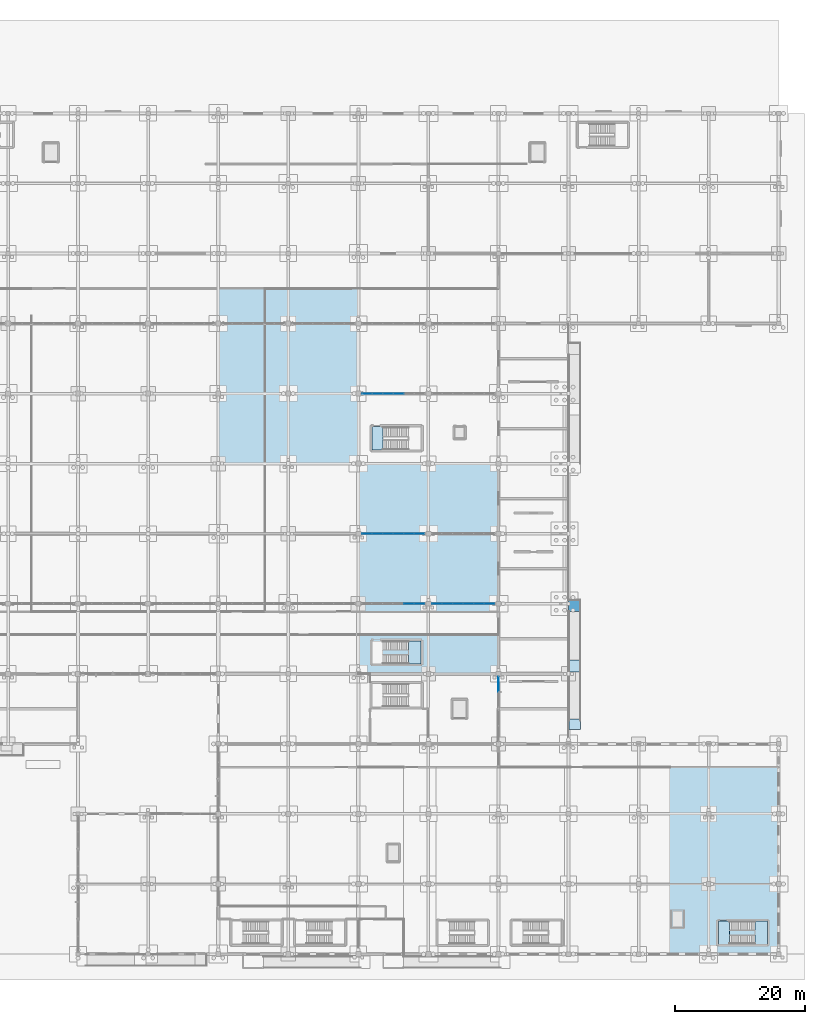
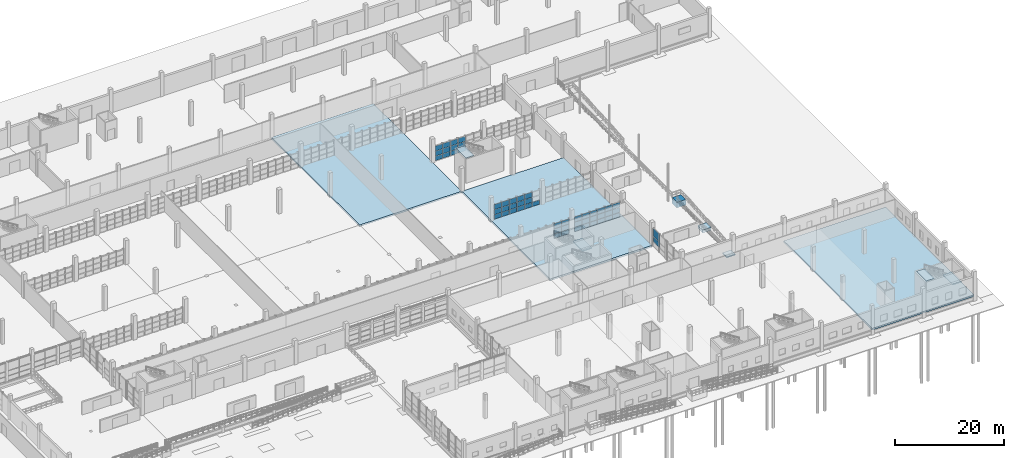
# One storey, part 94 of 138: 54 plates, 10 slabs, 9 elements without a shape of their own.
"""IFC4 building model written with IfcOpenShell, lengths in metres."""

from ifc_helpers import new_model, si_unit, direction, frame, origin, origin_2d, place, context, subcontext, project, spatial, polyline, rectangle, outline, extrude, material, layer, layer_set, type_object, element, aggregate, save


model = new_model("IFC4")

# Units and contexts
model_context = context("Model", 3, precision=1e-05, world=origin(), true_north=direction((0.0, 1.0)))
body_context = subcontext(model_context, "Body", "Model", "MODEL_VIEW")
ifc_project = project(units=[si_unit("LENGTHUNIT", "METRE"), si_unit("AREAUNIT", "SQUARE_METRE"), si_unit("VOLUMEUNIT", "CUBIC_METRE"), si_unit("PLANEANGLEUNIT", "RADIAN"), si_unit("MASSUNIT", "GRAM", prefix="KILO")], contexts=[model_context])

# Site, building, storey
site_placement = place(None, origin())
site = spatial("IfcSite", under=ifc_project, at=site_placement, CompositionType="ELEMENT")
building_placement = place(site_placement, origin())
building = spatial("IfcBuilding", under=site, at=building_placement, Name="Zwinboog Wholesale Market", CompositionType="ELEMENT")
storey_placement = place(building_placement, origin())
storey = spatial("IfcBuildingStorey", under=building, at=storey_placement, Name="L00", CompositionType="ELEMENT", Elevation=0.0)

# Slabs
ifc_material_1 = material(Name="Precast concrete C45/55", Category="concrete")
ifc_layer_1 = layer(ifc_material_1, 0.35009765625)
ifc_layer_set_1 = layer_set([ifc_layer_1], Name="Precast concrete C45/55")
slab_type_1 = type_object("IfcSlabType", Name="SLT-BS-350", PredefinedType="BASESLAB", material=ifc_layer_set_1)
slab_1_placement = place(storey_placement, frame((0.0, 0.0, -0.35009765625)))
element("IfcSlab", 1, at=slab_1_placement, inside=storey, type_object=slab_type_1, Name="SB-350 (SLB-L00-023)", PredefinedType="BASESLAB", context=body_context, shape_type="SweptSolid", body=[
    extrude(outline(polyline([(194.39990234375, 0.0), (216.0, 0.0), (216.0, 32.39990234375), (194.39990234375, 32.39990234375), (194.39990234375, 0.0)])), origin(), (0.0, 0.0, 1.0), 0.35009765625),
])
ifc_layer_2 = layer(ifc_material_1, 0.364990234375)
ifc_layer_set_2 = layer_set([ifc_layer_2], Name="Precast concrete C45/55")
slab_type_2 = type_object("IfcSlabType", Name="SLT-BS-365", PredefinedType="BASESLAB", material=ifc_layer_set_2)
slab_2_placement = place(storey_placement, frame((0.0, 0.0, -0.364990234375)))
element("IfcSlab", 2, at=slab_2_placement, inside=storey, type_object=slab_type_2, Name="SB-365 (SLB-L00-013)", PredefinedType="BASESLAB", context=body_context, shape_type="SweptSolid", body=[
    extrude(outline(polyline([(129.60009765625, 75.60009765625), (151.199951171875, 75.60009765625), (151.199951171875, 108.0), (129.60009765625, 108.0), (129.60009765625, 75.60009765625)])), origin(), (0.0, 0.0, 1.0), 0.364990234375),
])
ifc_layer_3 = layer(ifc_material_1, 0.39501953125)
ifc_layer_set_3 = layer_set([ifc_layer_3], Name="Precast concrete C45/55")
slab_type_3 = type_object("IfcSlabType", Name="SLT-BS-395", PredefinedType="BASESLAB", material=ifc_layer_set_3)
slab_3_placement = place(storey_placement, frame((0.0, 0.0, -0.39501953125)))
element("IfcSlab", 3, at=slab_3_placement, inside=storey, type_object=slab_type_3, Name="SB-395 (SLB-L00-014)", PredefinedType="BASESLAB", context=body_context, shape_type="SweptSolid", body=[
    extrude(outline(polyline([(151.199951171875, 43.199951171875), (172.800048828125, 43.199951171875), (172.800048828125, 75.60009765625), (151.199951171875, 75.60009765625), (151.199951171875, 43.199951171875)])), origin(), (0.0, 0.0, 1.0), 0.39501953125),
])

# Curtain wall, plates
ifc_material_2 = material(Name="Aluminium thermally broken curtain wall", Category="aluminium")
curtain_wall_type_1 = type_object("IfcCurtainWallType", Name="CWT-OFF-15", PredefinedType="USERDEFINED", material=ifc_material_2)
curtain_wall_1_placement = place(storey_placement, origin())
curtain_wall_1 = element("IfcCurtainWall", 4, at=curtain_wall_1_placement, inside=storey, type_object=curtain_wall_type_1, Name="CW-06 (CW-L00-048)", ObjectType="UNITIZED_CURTAIN_WALL", PredefinedType="USERDEFINED")
ifc_material_3 = material(Name="Double low-e insulated glazing", Category="glass")
ifc_layer_4 = layer(ifc_material_3, 0.031982421875)
ifc_layer_set_4 = layer_set([ifc_layer_4], Name="Double low-e insulated glazing")
plate_type_1 = type_object("IfcPlateType", Name="CWP-IGU-32", PredefinedType="CURTAIN_PANEL", material=ifc_layer_set_4)
plate_1_placement = place(storey_placement, frame((172.800048828125, 41.607421875, 1.1298828125), z_axis=(0.0, 0.0, 1.0), x_axis=(0.0, 1.0, 0.0)))
plate_1 = element("IfcPlate", 5, at=plate_1_placement, type_object=plate_type_1, Name="CW-06 panel 2.2", PredefinedType="CURTAIN_PANEL", context=body_context, shape_type="SweptSolid", body=[
    extrude(rectangle(XDim=2.324951171875, YDim=0.031982421875, at=origin_2d()), origin(), (0.0, 0.0, 1.0), 1.090087890625),
])
plate_2_placement = place(storey_placement, frame((172.800048828125, 41.607421875, 2.2802734375), z_axis=(0.0, 0.0, 1.0), x_axis=(0.0, 1.0, 0.0)))
plate_2 = element("IfcPlate", 6, at=plate_2_placement, type_object=plate_type_1, Name="CW-06 panel 2.3", PredefinedType="CURTAIN_PANEL", context=body_context, shape_type="SweptSolid", body=[
    extrude(rectangle(XDim=2.324951171875, YDim=0.031982421875, at=origin_2d()), origin(), (0.0, 0.0, 1.0), 1.784912109375),
])
aggregate(curtain_wall_1, [plate_1, plate_2])

curtain_wall_type_2 = type_object("IfcCurtainWallType", Name="CWT-INT-STALL", PredefinedType="USERDEFINED", material=ifc_material_2)
curtain_wall_2_placement = place(storey_placement, origin())
curtain_wall_2 = element("IfcCurtainWall", 7, at=curtain_wall_2_placement, inside=storey, type_object=curtain_wall_type_2, Name="CW-07 (CW-STL-189)", ObjectType="STOREFRONT_GLAZING", PredefinedType="USERDEFINED")
ifc_material_4 = material(Name="Tempered laminated market stall glazing", Category="glass")
ifc_layer_5 = layer(ifc_material_4, 0.01611328125)
ifc_layer_set_5 = layer_set([ifc_layer_5], Name="Tempered laminated market stall glazing")
plate_type_2 = type_object("IfcPlateType", Name="CWP-INT-16", PredefinedType="CURTAIN_PANEL", material=ifc_layer_set_5)
plate_3_placement = place(storey_placement, frame((159.02490234375, 54.0, 0.06005859375), z_axis=(0.0, 0.0, 1.0), x_axis=(1.0, 0.0, 0.0)))
plate_3 = element("IfcPlate", 8, at=plate_3_placement, type_object=plate_type_2, Name="CW-07 panel 5.1", PredefinedType="CURTAIN_PANEL", context=body_context, shape_type="SweptSolid", body=[
    extrude(rectangle(XDim=1.556640625, YDim=0.01611328125, at=origin_2d()), origin(), (0.0, 0.0, 1.0), 0.9599609375),
])
plate_4_placement = place(storey_placement, frame((159.02490234375, 54.0, 1.080078125), z_axis=(0.0, 0.0, 1.0), x_axis=(1.0, 0.0, 0.0)))
plate_4 = element("IfcPlate", 9, at=plate_4_placement, type_object=plate_type_2, Name="CW-07 panel 5.2", PredefinedType="CURTAIN_PANEL", context=body_context, shape_type="SweptSolid", body=[
    extrude(rectangle(XDim=1.556640625, YDim=0.01611328125, at=origin_2d()), origin(), (0.0, 0.0, 1.0), 1.090087890625),
])
plate_5_placement = place(storey_placement, frame((159.02490234375, 54.0, 2.22998046875), z_axis=(0.0, 0.0, 1.0), x_axis=(1.0, 0.0, 0.0)))
plate_5 = element("IfcPlate", 10, at=plate_5_placement, type_object=plate_type_2, Name="CW-07 panel 5.3", PredefinedType="CURTAIN_PANEL", context=body_context, shape_type="SweptSolid", body=[
    extrude(rectangle(XDim=1.556640625, YDim=0.01611328125, at=origin_2d()), origin(), (0.0, 0.0, 1.0), 1.110107421875),
])
plate_6_placement = place(storey_placement, frame((160.626708984375, 54.0, 0.06005859375), z_axis=(0.0, 0.0, 1.0), x_axis=(1.0, 0.0, 0.0)))
plate_6 = element("IfcPlate", 11, at=plate_6_placement, type_object=plate_type_2, Name="CW-07 panel 6.1", PredefinedType="CURTAIN_PANEL", context=body_context, shape_type="SweptSolid", body=[
    extrude(rectangle(XDim=1.526611328125, YDim=0.01611328125, at=origin_2d()), origin(), (0.0, 0.0, 1.0), 0.9599609375),
])
plate_7_placement = place(storey_placement, frame((160.626708984375, 54.0, 1.080078125), z_axis=(0.0, 0.0, 1.0), x_axis=(1.0, 0.0, 0.0)))
plate_7 = element("IfcPlate", 12, at=plate_7_placement, type_object=plate_type_2, Name="CW-07 panel 6.2", PredefinedType="CURTAIN_PANEL", context=body_context, shape_type="SweptSolid", body=[
    extrude(rectangle(XDim=1.526611328125, YDim=0.01611328125, at=origin_2d()), origin(), (0.0, 0.0, 1.0), 1.090087890625),
])
plate_8_placement = place(storey_placement, frame((160.626708984375, 54.0, 2.22998046875), z_axis=(0.0, 0.0, 1.0), x_axis=(1.0, 0.0, 0.0)))
plate_8 = element("IfcPlate", 13, at=plate_8_placement, type_object=plate_type_2, Name="CW-07 panel 6.3", PredefinedType="CURTAIN_PANEL", context=body_context, shape_type="SweptSolid", body=[
    extrude(rectangle(XDim=1.526611328125, YDim=0.01611328125, at=origin_2d()), origin(), (0.0, 0.0, 1.0), 1.110107421875),
])
aggregate(curtain_wall_2, [plate_3, plate_4, plate_5, plate_6, plate_7, plate_8])

curtain_wall_3_placement = place(storey_placement, origin())
curtain_wall_3 = element("IfcCurtainWall", 14, at=curtain_wall_3_placement, inside=storey, type_object=curtain_wall_type_2, Name="CW-07 (CW-STL-190)", ObjectType="STOREFRONT_GLAZING", PredefinedType="USERDEFINED")
plate_9_placement = place(storey_placement, frame((163.373291015625, 54.0, 0.06005859375), z_axis=(0.0, 0.0, 1.0), x_axis=(1.0, 0.0, 0.0)))
plate_9 = element("IfcPlate", 15, at=plate_9_placement, type_object=plate_type_2, Name="CW-07 panel 1.1", PredefinedType="CURTAIN_PANEL", context=body_context, shape_type="SweptSolid", body=[
    extrude(rectangle(XDim=1.526611328125, YDim=0.01611328125, at=origin_2d()), origin(), (0.0, 0.0, 1.0), 0.9599609375),
])
plate_10_placement = place(storey_placement, frame((163.373291015625, 54.0, 1.080078125), z_axis=(0.0, 0.0, 1.0), x_axis=(1.0, 0.0, 0.0)))
plate_10 = element("IfcPlate", 16, at=plate_10_placement, type_object=plate_type_2, Name="CW-07 panel 1.2", PredefinedType="CURTAIN_PANEL", context=body_context, shape_type="SweptSolid", body=[
    extrude(rectangle(XDim=1.526611328125, YDim=0.01611328125, at=origin_2d()), origin(), (0.0, 0.0, 1.0), 1.090087890625),
])
plate_11_placement = place(storey_placement, frame((163.373291015625, 54.0, 2.22998046875), z_axis=(0.0, 0.0, 1.0), x_axis=(1.0, 0.0, 0.0)))
plate_11 = element("IfcPlate", 17, at=plate_11_placement, type_object=plate_type_2, Name="CW-07 panel 1.3", PredefinedType="CURTAIN_PANEL", context=body_context, shape_type="SweptSolid", body=[
    extrude(rectangle(XDim=1.526611328125, YDim=0.01611328125, at=origin_2d()), origin(), (0.0, 0.0, 1.0), 1.110107421875),
])
plate_12_placement = place(storey_placement, frame((164.97509765625, 54.0, 0.06005859375), z_axis=(0.0, 0.0, 1.0), x_axis=(1.0, 0.0, 0.0)))
plate_12 = element("IfcPlate", 18, at=plate_12_placement, type_object=plate_type_2, Name="CW-07 panel 2.1", PredefinedType="CURTAIN_PANEL", context=body_context, shape_type="SweptSolid", body=[
    extrude(rectangle(XDim=1.556640625, YDim=0.01611328125, at=origin_2d()), origin(), (0.0, 0.0, 1.0), 0.9599609375),
])
plate_13_placement = place(storey_placement, frame((164.97509765625, 54.0, 1.080078125), z_axis=(0.0, 0.0, 1.0), x_axis=(1.0, 0.0, 0.0)))
plate_13 = element("IfcPlate", 19, at=plate_13_placement, type_object=plate_type_2, Name="CW-07 panel 2.2", PredefinedType="CURTAIN_PANEL", context=body_context, shape_type="SweptSolid", body=[
    extrude(rectangle(XDim=1.556640625, YDim=0.01611328125, at=origin_2d()), origin(), (0.0, 0.0, 1.0), 1.090087890625),
])
plate_14_placement = place(storey_placement, frame((164.97509765625, 54.0, 2.22998046875), z_axis=(0.0, 0.0, 1.0), x_axis=(1.0, 0.0, 0.0)))
plate_14 = element("IfcPlate", 20, at=plate_14_placement, type_object=plate_type_2, Name="CW-07 panel 2.3", PredefinedType="CURTAIN_PANEL", context=body_context, shape_type="SweptSolid", body=[
    extrude(rectangle(XDim=1.556640625, YDim=0.01611328125, at=origin_2d()), origin(), (0.0, 0.0, 1.0), 1.110107421875),
])
plate_15_placement = place(storey_placement, frame((166.591552734375, 54.0, 0.06005859375), z_axis=(0.0, 0.0, 1.0), x_axis=(1.0, 0.0, 0.0)))
plate_15 = element("IfcPlate", 21, at=plate_15_placement, type_object=plate_type_2, Name="CW-07 panel 3.1", PredefinedType="CURTAIN_PANEL", context=body_context, shape_type="SweptSolid", body=[
    extrude(rectangle(XDim=1.556640625, YDim=0.01611328125, at=origin_2d()), origin(), (0.0, 0.0, 1.0), 0.9599609375),
])
plate_16_placement = place(storey_placement, frame((166.591552734375, 54.0, 1.080078125), z_axis=(0.0, 0.0, 1.0), x_axis=(1.0, 0.0, 0.0)))
plate_16 = element("IfcPlate", 22, at=plate_16_placement, type_object=plate_type_2, Name="CW-07 panel 3.2", PredefinedType="CURTAIN_PANEL", context=body_context, shape_type="SweptSolid", body=[
    extrude(rectangle(XDim=1.556640625, YDim=0.01611328125, at=origin_2d()), origin(), (0.0, 0.0, 1.0), 1.090087890625),
])
plate_17_placement = place(storey_placement, frame((166.591552734375, 54.0, 2.22998046875), z_axis=(0.0, 0.0, 1.0), x_axis=(1.0, 0.0, 0.0)))
plate_17 = element("IfcPlate", 23, at=plate_17_placement, type_object=plate_type_2, Name="CW-07 panel 3.3", PredefinedType="CURTAIN_PANEL", context=body_context, shape_type="SweptSolid", body=[
    extrude(rectangle(XDim=1.556640625, YDim=0.01611328125, at=origin_2d()), origin(), (0.0, 0.0, 1.0), 1.110107421875),
])
plate_18_placement = place(storey_placement, frame((168.208251953125, 54.0, 0.06005859375), z_axis=(0.0, 0.0, 1.0), x_axis=(1.0, 0.0, 0.0)))
plate_18 = element("IfcPlate", 24, at=plate_18_placement, type_object=plate_type_2, Name="CW-07 panel 4.1", PredefinedType="CURTAIN_PANEL", context=body_context, shape_type="SweptSolid", body=[
    extrude(rectangle(XDim=1.556640625, YDim=0.01611328125, at=origin_2d()), origin(), (0.0, 0.0, 1.0), 0.9599609375),
])
plate_19_placement = place(storey_placement, frame((168.208251953125, 54.0, 1.080078125), z_axis=(0.0, 0.0, 1.0), x_axis=(1.0, 0.0, 0.0)))
plate_19 = element("IfcPlate", 25, at=plate_19_placement, type_object=plate_type_2, Name="CW-07 panel 4.2", PredefinedType="CURTAIN_PANEL", context=body_context, shape_type="SweptSolid", body=[
    extrude(rectangle(XDim=1.556640625, YDim=0.01611328125, at=origin_2d()), origin(), (0.0, 0.0, 1.0), 1.090087890625),
])
plate_20_placement = place(storey_placement, frame((168.208251953125, 54.0, 2.22998046875), z_axis=(0.0, 0.0, 1.0), x_axis=(1.0, 0.0, 0.0)))
plate_20 = element("IfcPlate", 26, at=plate_20_placement, type_object=plate_type_2, Name="CW-07 panel 4.3", PredefinedType="CURTAIN_PANEL", context=body_context, shape_type="SweptSolid", body=[
    extrude(rectangle(XDim=1.556640625, YDim=0.01611328125, at=origin_2d()), origin(), (0.0, 0.0, 1.0), 1.110107421875),
])
plate_21_placement = place(storey_placement, frame((169.824951171875, 54.0, 0.06005859375), z_axis=(0.0, 0.0, 1.0), x_axis=(1.0, 0.0, 0.0)))
plate_21 = element("IfcPlate", 27, at=plate_21_placement, type_object=plate_type_2, Name="CW-07 panel 5.1", PredefinedType="CURTAIN_PANEL", context=body_context, shape_type="SweptSolid", body=[
    extrude(rectangle(XDim=1.556640625, YDim=0.01611328125, at=origin_2d()), origin(), (0.0, 0.0, 1.0), 0.9599609375),
])
plate_22_placement = place(storey_placement, frame((169.824951171875, 54.0, 1.080078125), z_axis=(0.0, 0.0, 1.0), x_axis=(1.0, 0.0, 0.0)))
plate_22 = element("IfcPlate", 28, at=plate_22_placement, type_object=plate_type_2, Name="CW-07 panel 5.2", PredefinedType="CURTAIN_PANEL", context=body_context, shape_type="SweptSolid", body=[
    extrude(rectangle(XDim=1.556640625, YDim=0.01611328125, at=origin_2d()), origin(), (0.0, 0.0, 1.0), 1.090087890625),
])
plate_23_placement = place(storey_placement, frame((169.824951171875, 54.0, 2.22998046875), z_axis=(0.0, 0.0, 1.0), x_axis=(1.0, 0.0, 0.0)))
plate_23 = element("IfcPlate", 29, at=plate_23_placement, type_object=plate_type_2, Name="CW-07 panel 5.3", PredefinedType="CURTAIN_PANEL", context=body_context, shape_type="SweptSolid", body=[
    extrude(rectangle(XDim=1.556640625, YDim=0.01611328125, at=origin_2d()), origin(), (0.0, 0.0, 1.0), 1.110107421875),
])
plate_24_placement = place(storey_placement, frame((171.4267578125, 54.0, 0.06005859375), z_axis=(0.0, 0.0, 1.0), x_axis=(1.0, 0.0, 0.0)))
plate_24 = element("IfcPlate", 30, at=plate_24_placement, type_object=plate_type_2, Name="CW-07 panel 6.1", PredefinedType="CURTAIN_PANEL", context=body_context, shape_type="SweptSolid", body=[
    extrude(rectangle(XDim=1.526611328125, YDim=0.01611328125, at=origin_2d()), origin(), (0.0, 0.0, 1.0), 0.9599609375),
])
plate_25_placement = place(storey_placement, frame((171.4267578125, 54.0, 1.080078125), z_axis=(0.0, 0.0, 1.0), x_axis=(1.0, 0.0, 0.0)))
plate_25 = element("IfcPlate", 31, at=plate_25_placement, type_object=plate_type_2, Name="CW-07 panel 6.2", PredefinedType="CURTAIN_PANEL", context=body_context, shape_type="SweptSolid", body=[
    extrude(rectangle(XDim=1.526611328125, YDim=0.01611328125, at=origin_2d()), origin(), (0.0, 0.0, 1.0), 1.090087890625),
])
plate_26_placement = place(storey_placement, frame((171.4267578125, 54.0, 2.22998046875), z_axis=(0.0, 0.0, 1.0), x_axis=(1.0, 0.0, 0.0)))
plate_26 = element("IfcPlate", 32, at=plate_26_placement, type_object=plate_type_2, Name="CW-07 panel 6.3", PredefinedType="CURTAIN_PANEL", context=body_context, shape_type="SweptSolid", body=[
    extrude(rectangle(XDim=1.526611328125, YDim=0.01611328125, at=origin_2d()), origin(), (0.0, 0.0, 1.0), 1.110107421875),
])
aggregate(curtain_wall_3, [plate_9, plate_10, plate_11, plate_12, plate_13, plate_14, plate_15, plate_16, plate_17, plate_18, plate_19, plate_20, plate_21, plate_22, plate_23, plate_24, plate_25, plate_26])

curtain_wall_4_placement = place(storey_placement, origin())
curtain_wall_4 = element("IfcCurtainWall", 33, at=curtain_wall_4_placement, inside=storey, type_object=curtain_wall_type_2, Name="CW-07 (CW-STL-193)", ObjectType="STOREFRONT_GLAZING", PredefinedType="USERDEFINED")
plate_27_placement = place(storey_placement, frame((152.5732421875, 64.800048828125, 0.06005859375), z_axis=(0.0, 0.0, 1.0), x_axis=(1.0, 0.0, 0.0)))
plate_27 = element("IfcPlate", 34, at=plate_27_placement, type_object=plate_type_2, Name="CW-07 panel 1.1", PredefinedType="CURTAIN_PANEL", context=body_context, shape_type="SweptSolid", body=[
    extrude(rectangle(XDim=1.526611328125, YDim=0.01611328125, at=origin_2d()), origin(), (0.0, 0.0, 1.0), 0.9599609375),
])
plate_28_placement = place(storey_placement, frame((152.5732421875, 64.800048828125, 1.080078125), z_axis=(0.0, 0.0, 1.0), x_axis=(1.0, 0.0, 0.0)))
plate_28 = element("IfcPlate", 35, at=plate_28_placement, type_object=plate_type_2, Name="CW-07 panel 1.2", PredefinedType="CURTAIN_PANEL", context=body_context, shape_type="SweptSolid", body=[
    extrude(rectangle(XDim=1.526611328125, YDim=0.01611328125, at=origin_2d()), origin(), (0.0, 0.0, 1.0), 1.090087890625),
])
plate_29_placement = place(storey_placement, frame((152.5732421875, 64.800048828125, 2.22998046875), z_axis=(0.0, 0.0, 1.0), x_axis=(1.0, 0.0, 0.0)))
plate_29 = element("IfcPlate", 36, at=plate_29_placement, type_object=plate_type_2, Name="CW-07 panel 1.3", PredefinedType="CURTAIN_PANEL", context=body_context, shape_type="SweptSolid", body=[
    extrude(rectangle(XDim=1.526611328125, YDim=0.01611328125, at=origin_2d()), origin(), (0.0, 0.0, 1.0), 1.110107421875),
])
plate_30_placement = place(storey_placement, frame((154.175048828125, 64.800048828125, 0.06005859375), z_axis=(0.0, 0.0, 1.0), x_axis=(1.0, 0.0, 0.0)))
plate_30 = element("IfcPlate", 37, at=plate_30_placement, type_object=plate_type_2, Name="CW-07 panel 2.1", PredefinedType="CURTAIN_PANEL", context=body_context, shape_type="SweptSolid", body=[
    extrude(rectangle(XDim=1.556640625, YDim=0.01611328125, at=origin_2d()), origin(), (0.0, 0.0, 1.0), 0.9599609375),
])
plate_31_placement = place(storey_placement, frame((154.175048828125, 64.800048828125, 1.080078125), z_axis=(0.0, 0.0, 1.0), x_axis=(1.0, 0.0, 0.0)))
plate_31 = element("IfcPlate", 38, at=plate_31_placement, type_object=plate_type_2, Name="CW-07 panel 2.2", PredefinedType="CURTAIN_PANEL", context=body_context, shape_type="SweptSolid", body=[
    extrude(rectangle(XDim=1.556640625, YDim=0.01611328125, at=origin_2d()), origin(), (0.0, 0.0, 1.0), 1.090087890625),
])
plate_32_placement = place(storey_placement, frame((154.175048828125, 64.800048828125, 2.22998046875), z_axis=(0.0, 0.0, 1.0), x_axis=(1.0, 0.0, 0.0)))
plate_32 = element("IfcPlate", 39, at=plate_32_placement, type_object=plate_type_2, Name="CW-07 panel 2.3", PredefinedType="CURTAIN_PANEL", context=body_context, shape_type="SweptSolid", body=[
    extrude(rectangle(XDim=1.556640625, YDim=0.01611328125, at=origin_2d()), origin(), (0.0, 0.0, 1.0), 1.110107421875),
])
plate_33_placement = place(storey_placement, frame((155.791748046875, 64.800048828125, 0.06005859375), z_axis=(0.0, 0.0, 1.0), x_axis=(1.0, 0.0, 0.0)))
plate_33 = element("IfcPlate", 40, at=plate_33_placement, type_object=plate_type_2, Name="CW-07 panel 3.1", PredefinedType="CURTAIN_PANEL", context=body_context, shape_type="SweptSolid", body=[
    extrude(rectangle(XDim=1.556640625, YDim=0.01611328125, at=origin_2d()), origin(), (0.0, 0.0, 1.0), 0.9599609375),
])
plate_34_placement = place(storey_placement, frame((155.791748046875, 64.800048828125, 1.080078125), z_axis=(0.0, 0.0, 1.0), x_axis=(1.0, 0.0, 0.0)))
plate_34 = element("IfcPlate", 41, at=plate_34_placement, type_object=plate_type_2, Name="CW-07 panel 3.2", PredefinedType="CURTAIN_PANEL", context=body_context, shape_type="SweptSolid", body=[
    extrude(rectangle(XDim=1.556640625, YDim=0.01611328125, at=origin_2d()), origin(), (0.0, 0.0, 1.0), 1.090087890625),
])
plate_35_placement = place(storey_placement, frame((155.791748046875, 64.800048828125, 2.22998046875), z_axis=(0.0, 0.0, 1.0), x_axis=(1.0, 0.0, 0.0)))
plate_35 = element("IfcPlate", 42, at=plate_35_placement, type_object=plate_type_2, Name="CW-07 panel 3.3", PredefinedType="CURTAIN_PANEL", context=body_context, shape_type="SweptSolid", body=[
    extrude(rectangle(XDim=1.556640625, YDim=0.01611328125, at=origin_2d()), origin(), (0.0, 0.0, 1.0), 1.110107421875),
])
plate_36_placement = place(storey_placement, frame((157.408447265625, 64.800048828125, 0.06005859375), z_axis=(0.0, 0.0, 1.0), x_axis=(1.0, 0.0, 0.0)))
plate_36 = element("IfcPlate", 43, at=plate_36_placement, type_object=plate_type_2, Name="CW-07 panel 4.1", PredefinedType="CURTAIN_PANEL", context=body_context, shape_type="SweptSolid", body=[
    extrude(rectangle(XDim=1.556640625, YDim=0.01611328125, at=origin_2d()), origin(), (0.0, 0.0, 1.0), 0.9599609375),
])
plate_37_placement = place(storey_placement, frame((157.408447265625, 64.800048828125, 1.080078125), z_axis=(0.0, 0.0, 1.0), x_axis=(1.0, 0.0, 0.0)))
plate_37 = element("IfcPlate", 44, at=plate_37_placement, type_object=plate_type_2, Name="CW-07 panel 4.2", PredefinedType="CURTAIN_PANEL", context=body_context, shape_type="SweptSolid", body=[
    extrude(rectangle(XDim=1.556640625, YDim=0.01611328125, at=origin_2d()), origin(), (0.0, 0.0, 1.0), 1.090087890625),
])
plate_38_placement = place(storey_placement, frame((157.408447265625, 64.800048828125, 2.22998046875), z_axis=(0.0, 0.0, 1.0), x_axis=(1.0, 0.0, 0.0)))
plate_38 = element("IfcPlate", 45, at=plate_38_placement, type_object=plate_type_2, Name="CW-07 panel 4.3", PredefinedType="CURTAIN_PANEL", context=body_context, shape_type="SweptSolid", body=[
    extrude(rectangle(XDim=1.556640625, YDim=0.01611328125, at=origin_2d()), origin(), (0.0, 0.0, 1.0), 1.110107421875),
])
plate_39_placement = place(storey_placement, frame((159.02490234375, 64.800048828125, 0.06005859375), z_axis=(0.0, 0.0, 1.0), x_axis=(1.0, 0.0, 0.0)))
plate_39 = element("IfcPlate", 46, at=plate_39_placement, type_object=plate_type_2, Name="CW-07 panel 5.1", PredefinedType="CURTAIN_PANEL", context=body_context, shape_type="SweptSolid", body=[
    extrude(rectangle(XDim=1.556640625, YDim=0.01611328125, at=origin_2d()), origin(), (0.0, 0.0, 1.0), 0.9599609375),
])
plate_40_placement = place(storey_placement, frame((159.02490234375, 64.800048828125, 1.080078125), z_axis=(0.0, 0.0, 1.0), x_axis=(1.0, 0.0, 0.0)))
plate_40 = element("IfcPlate", 47, at=plate_40_placement, type_object=plate_type_2, Name="CW-07 panel 5.2", PredefinedType="CURTAIN_PANEL", context=body_context, shape_type="SweptSolid", body=[
    extrude(rectangle(XDim=1.556640625, YDim=0.01611328125, at=origin_2d()), origin(), (0.0, 0.0, 1.0), 1.090087890625),
])
plate_41_placement = place(storey_placement, frame((159.02490234375, 64.800048828125, 2.22998046875), z_axis=(0.0, 0.0, 1.0), x_axis=(1.0, 0.0, 0.0)))
plate_41 = element("IfcPlate", 48, at=plate_41_placement, type_object=plate_type_2, Name="CW-07 panel 5.3", PredefinedType="CURTAIN_PANEL", context=body_context, shape_type="SweptSolid", body=[
    extrude(rectangle(XDim=1.556640625, YDim=0.01611328125, at=origin_2d()), origin(), (0.0, 0.0, 1.0), 1.110107421875),
])
plate_42_placement = place(storey_placement, frame((160.626708984375, 64.800048828125, 0.06005859375), z_axis=(0.0, 0.0, 1.0), x_axis=(1.0, 0.0, 0.0)))
plate_42 = element("IfcPlate", 49, at=plate_42_placement, type_object=plate_type_2, Name="CW-07 panel 6.1", PredefinedType="CURTAIN_PANEL", context=body_context, shape_type="SweptSolid", body=[
    extrude(rectangle(XDim=1.526611328125, YDim=0.01611328125, at=origin_2d()), origin(), (0.0, 0.0, 1.0), 0.9599609375),
])
aggregate(curtain_wall_4, [plate_27, plate_28, plate_29, plate_30, plate_31, plate_32, plate_33, plate_34, plate_35, plate_36, plate_37, plate_38, plate_39, plate_40, plate_41, plate_42])

curtain_wall_5_placement = place(storey_placement, origin())
curtain_wall_5 = element("IfcCurtainWall", 50, at=curtain_wall_5_placement, inside=storey, type_object=curtain_wall_type_2, Name="CW-07 (CW-STL-197)", ObjectType="STOREFRONT_GLAZING", PredefinedType="USERDEFINED")
plate_43_placement = place(storey_placement, frame((152.5732421875, 86.39990234375, 0.06005859375), z_axis=(0.0, 0.0, 1.0), x_axis=(1.0, 0.0, 0.0)))
plate_43 = element("IfcPlate", 51, at=plate_43_placement, type_object=plate_type_2, Name="CW-07 panel 1.1", PredefinedType="CURTAIN_PANEL", context=body_context, shape_type="SweptSolid", body=[
    extrude(rectangle(XDim=1.526611328125, YDim=0.01611328125, at=origin_2d()), origin(), (0.0, 0.0, 1.0), 0.9599609375),
])
plate_44_placement = place(storey_placement, frame((152.5732421875, 86.39990234375, 1.080078125), z_axis=(0.0, 0.0, 1.0), x_axis=(1.0, 0.0, 0.0)))
plate_44 = element("IfcPlate", 52, at=plate_44_placement, type_object=plate_type_2, Name="CW-07 panel 1.2", PredefinedType="CURTAIN_PANEL", context=body_context, shape_type="SweptSolid", body=[
    extrude(rectangle(XDim=1.526611328125, YDim=0.01611328125, at=origin_2d()), origin(), (0.0, 0.0, 1.0), 1.090087890625),
])
plate_45_placement = place(storey_placement, frame((152.5732421875, 86.39990234375, 2.22998046875), z_axis=(0.0, 0.0, 1.0), x_axis=(1.0, 0.0, 0.0)))
plate_45 = element("IfcPlate", 53, at=plate_45_placement, type_object=plate_type_2, Name="CW-07 panel 1.3", PredefinedType="CURTAIN_PANEL", context=body_context, shape_type="SweptSolid", body=[
    extrude(rectangle(XDim=1.526611328125, YDim=0.01611328125, at=origin_2d()), origin(), (0.0, 0.0, 1.0), 1.110107421875),
])
plate_46_placement = place(storey_placement, frame((154.175048828125, 86.39990234375, 0.06005859375), z_axis=(0.0, 0.0, 1.0), x_axis=(1.0, 0.0, 0.0)))
plate_46 = element("IfcPlate", 54, at=plate_46_placement, type_object=plate_type_2, Name="CW-07 panel 2.1", PredefinedType="CURTAIN_PANEL", context=body_context, shape_type="SweptSolid", body=[
    extrude(rectangle(XDim=1.556640625, YDim=0.01611328125, at=origin_2d()), origin(), (0.0, 0.0, 1.0), 0.9599609375),
])
plate_47_placement = place(storey_placement, frame((154.175048828125, 86.39990234375, 1.080078125), z_axis=(0.0, 0.0, 1.0), x_axis=(1.0, 0.0, 0.0)))
plate_47 = element("IfcPlate", 55, at=plate_47_placement, type_object=plate_type_2, Name="CW-07 panel 2.2", PredefinedType="CURTAIN_PANEL", context=body_context, shape_type="SweptSolid", body=[
    extrude(rectangle(XDim=1.556640625, YDim=0.01611328125, at=origin_2d()), origin(), (0.0, 0.0, 1.0), 1.090087890625),
])
plate_48_placement = place(storey_placement, frame((154.175048828125, 86.39990234375, 2.22998046875), z_axis=(0.0, 0.0, 1.0), x_axis=(1.0, 0.0, 0.0)))
plate_48 = element("IfcPlate", 56, at=plate_48_placement, type_object=plate_type_2, Name="CW-07 panel 2.3", PredefinedType="CURTAIN_PANEL", context=body_context, shape_type="SweptSolid", body=[
    extrude(rectangle(XDim=1.556640625, YDim=0.01611328125, at=origin_2d()), origin(), (0.0, 0.0, 1.0), 1.110107421875),
])
plate_49_placement = place(storey_placement, frame((155.791748046875, 86.39990234375, 0.06005859375), z_axis=(0.0, 0.0, 1.0), x_axis=(1.0, 0.0, 0.0)))
plate_49 = element("IfcPlate", 57, at=plate_49_placement, type_object=plate_type_2, Name="CW-07 panel 3.1", PredefinedType="CURTAIN_PANEL", context=body_context, shape_type="SweptSolid", body=[
    extrude(rectangle(XDim=1.556640625, YDim=0.01611328125, at=origin_2d()), origin(), (0.0, 0.0, 1.0), 0.9599609375),
])
plate_50_placement = place(storey_placement, frame((155.791748046875, 86.39990234375, 1.080078125), z_axis=(0.0, 0.0, 1.0), x_axis=(1.0, 0.0, 0.0)))
plate_50 = element("IfcPlate", 58, at=plate_50_placement, type_object=plate_type_2, Name="CW-07 panel 3.2", PredefinedType="CURTAIN_PANEL", context=body_context, shape_type="SweptSolid", body=[
    extrude(rectangle(XDim=1.556640625, YDim=0.01611328125, at=origin_2d()), origin(), (0.0, 0.0, 1.0), 1.090087890625),
])
plate_51_placement = place(storey_placement, frame((155.791748046875, 86.39990234375, 2.22998046875), z_axis=(0.0, 0.0, 1.0), x_axis=(1.0, 0.0, 0.0)))
plate_51 = element("IfcPlate", 59, at=plate_51_placement, type_object=plate_type_2, Name="CW-07 panel 3.3", PredefinedType="CURTAIN_PANEL", context=body_context, shape_type="SweptSolid", body=[
    extrude(rectangle(XDim=1.556640625, YDim=0.01611328125, at=origin_2d()), origin(), (0.0, 0.0, 1.0), 1.110107421875),
])
plate_52_placement = place(storey_placement, frame((157.408447265625, 86.39990234375, 0.06005859375), z_axis=(0.0, 0.0, 1.0), x_axis=(1.0, 0.0, 0.0)))
plate_52 = element("IfcPlate", 60, at=plate_52_placement, type_object=plate_type_2, Name="CW-07 panel 4.1", PredefinedType="CURTAIN_PANEL", context=body_context, shape_type="SweptSolid", body=[
    extrude(rectangle(XDim=1.556640625, YDim=0.01611328125, at=origin_2d()), origin(), (0.0, 0.0, 1.0), 0.9599609375),
])
plate_53_placement = place(storey_placement, frame((157.408447265625, 86.39990234375, 1.080078125), z_axis=(0.0, 0.0, 1.0), x_axis=(1.0, 0.0, 0.0)))
plate_53 = element("IfcPlate", 61, at=plate_53_placement, type_object=plate_type_2, Name="CW-07 panel 4.2", PredefinedType="CURTAIN_PANEL", context=body_context, shape_type="SweptSolid", body=[
    extrude(rectangle(XDim=1.556640625, YDim=0.01611328125, at=origin_2d()), origin(), (0.0, 0.0, 1.0), 1.090087890625),
])
plate_54_placement = place(storey_placement, frame((157.408447265625, 86.39990234375, 2.22998046875), z_axis=(0.0, 0.0, 1.0), x_axis=(1.0, 0.0, 0.0)))
plate_54 = element("IfcPlate", 62, at=plate_54_placement, type_object=plate_type_2, Name="CW-07 panel 4.3", PredefinedType="CURTAIN_PANEL", context=body_context, shape_type="SweptSolid", body=[
    extrude(rectangle(XDim=1.556640625, YDim=0.01611328125, at=origin_2d()), origin(), (0.0, 0.0, 1.0), 1.110107421875),
])
aggregate(curtain_wall_5, [plate_43, plate_44, plate_45, plate_46, plate_47, plate_48, plate_49, plate_50, plate_51, plate_52, plate_53, plate_54])

# Stair, slabs
ifc_material_5 = material(Name="Concrete C40/50", Category="concrete")
stair_type_1 = type_object("IfcStairType", Name="STT-DOG-145", PredefinedType="HALF_TURN_STAIR", material=ifc_material_5)
stair_1_placement = place(storey_placement, origin())
stair_1 = element("IfcStair", 63, at=stair_1_placement, inside=storey, type_object=stair_type_1, Name="Enclosed Escape Stair ST-08A", PredefinedType="HALF_TURN_STAIR")
ifc_layer_6 = layer(ifc_material_5, 0.199951171875)
ifc_layer_set_6 = layer_set([ifc_layer_6], Name="Concrete C40/50")
slab_type_4 = type_object("IfcSlabType", Name="SLT-LND-200", PredefinedType="LANDING", material=ifc_layer_set_6)
slab_4_placement = place(storey_placement, frame((0.0, 0.0, 2.5)))
slab_4 = element("IfcSlab", 64, at=slab_4_placement, type_object=slab_type_4, Name="ST-08A landing 1", PredefinedType="LANDING", context=body_context, shape_type="SweptSolid", body=[
    extrude(outline(polyline([(212.340087890625, 1.5048828125), (214.294921875, 1.5048828125), (214.294921875, 5.094970703125), (212.340087890625, 5.094970703125), (212.340087890625, 1.5048828125)])), origin(), (0.0, 0.0, 1.0), 0.199951171875),
])
slab_5_placement = place(storey_placement, frame((0.0, 0.0, 5.199951171875)))
slab_5 = element("IfcSlab", 65, at=slab_5_placement, type_object=slab_type_4, Name="ST-08A landing 2", PredefinedType="LANDING", context=body_context, shape_type="SweptSolid", body=[
    extrude(outline(polyline([(206.705078125, 1.5048828125), (208.419921875, 1.5048828125), (208.419921875, 5.094970703125), (206.705078125, 5.094970703125), (206.705078125, 1.5048828125)])), origin(), (0.0, 0.0, 1.0), 0.199951171875),
])
aggregate(stair_1, [slab_4, slab_5])

# Stair, slab
stair_2_placement = place(storey_placement, origin())
stair_2 = element("IfcStair", 66, at=stair_2_placement, inside=storey, type_object=stair_type_1, Name="Enclosed Escape Stair ST-15", PredefinedType="HALF_TURN_STAIR")
slab_6_placement = place(storey_placement, frame((0.0, 0.0, 2.5)))
slab_6 = element("IfcSlab", 67, at=slab_6_placement, type_object=slab_type_4, Name="ST-15 landing 1", PredefinedType="LANDING", context=body_context, shape_type="SweptSolid", body=[
    extrude(outline(polyline([(158.93994140625, 44.705078125), (160.89501953125, 44.705078125), (160.89501953125, 48.294921875), (158.93994140625, 48.294921875), (158.93994140625, 44.705078125)])), origin(), (0.0, 0.0, 1.0), 0.199951171875),
])
aggregate(stair_2, [slab_6])

stair_type_2 = type_object("IfcStairType", Name="STT-DOG-160", PredefinedType="HALF_TURN_STAIR", material=ifc_material_5)
stair_3_placement = place(storey_placement, origin())
stair_3 = element("IfcStair", 68, at=stair_3_placement, inside=storey, type_object=stair_type_2, Name="Enclosed Escape Stair ST-07", PredefinedType="HALF_TURN_STAIR")
ifc_layer_7 = layer(ifc_material_5, 0.219970703125)
ifc_layer_set_7 = layer_set([ifc_layer_7], Name="Concrete C40/50")
slab_type_5 = type_object("IfcSlabType", Name="SLT-LND-220", PredefinedType="LANDING", material=ifc_layer_set_7)
slab_7_placement = place(storey_placement, frame((0.0, 0.0, 5.179931640625)))
slab_7 = element("IfcSlab", 69, at=slab_7_placement, type_object=slab_type_5, Name="ST-07 landing 2", PredefinedType="LANDING", context=body_context, shape_type="SweptSolid", body=[
    extrude(outline(polyline([(153.304931640625, 77.705078125), (155.02001953125, 77.705078125), (155.02001953125, 81.294921875), (153.304931640625, 81.294921875), (153.304931640625, 77.705078125)])), origin(), (0.0, 0.0, 1.0), 0.219970703125),
])
aggregate(stair_3, [slab_7])

# Ramp, slabs
ramp_type = type_object("IfcRampType", Name="RMPT-PLINTH", PredefinedType="HALF_TURN_RAMP", material=ifc_material_5)
ramp_placement = place(storey_placement, origin())
ramp = element("IfcRamp", 70, at=ramp_placement, inside=storey, type_object=ramp_type, Name="East Forecourt South Accessible Ramp", PredefinedType="HALF_TURN_RAMP")
slab_8_placement = place(storey_placement, frame((0.0, 0.0, -1.419921875)))
slab_8 = element("IfcSlab", 71, at=slab_8_placement, type_object=slab_type_5, Name="RMP-04-L0 (RMP-04-LTOE)", PredefinedType="LANDING", context=body_context, shape_type="SweptSolid", body=[
    extrude(outline(polyline([(183.64990234375, 34.60009765625), (185.449951171875, 34.60009765625), (185.449951171875, 36.199951171875), (183.64990234375, 36.199951171875), (183.64990234375, 34.60009765625)])), origin(), (0.0, 0.0, 1.0), 0.219970703125),
])
slab_9_placement = place(storey_placement, frame((0.0, 0.0, -1.25)))
slab_9 = element("IfcSlab", 72, at=slab_9_placement, type_object=slab_type_5, Name="RMP-04-L1 (RMP-04-LMID)", PredefinedType="LANDING", context=body_context, shape_type="SweptSolid", body=[
    extrude(outline(polyline([(183.64990234375, 43.5), (185.449951171875, 43.5), (185.449951171875, 45.300048828125), (183.64990234375, 45.300048828125), (183.64990234375, 43.5)])), origin(), (0.0, 0.0, 1.0), 0.64990234375),
])
slab_10_placement = place(storey_placement, frame((0.0, 0.0, -1.25)))
slab_10 = element("IfcSlab", 73, at=slab_10_placement, type_object=slab_type_5, Name="RMP-04-L2 (RMP-04-LTOP)", PredefinedType="LANDING", context=body_context, shape_type="SweptSolid", body=[
    extrude(outline(polyline([(183.580078125, 52.800048828125), (185.449951171875, 52.800048828125), (185.449951171875, 54.60009765625), (183.580078125, 54.60009765625), (183.580078125, 52.800048828125)])), origin(), (0.0, 0.0, 1.0), 1.25),
])
aggregate(ramp, [slab_8, slab_9, slab_10])

save(model, "model.ifc")
